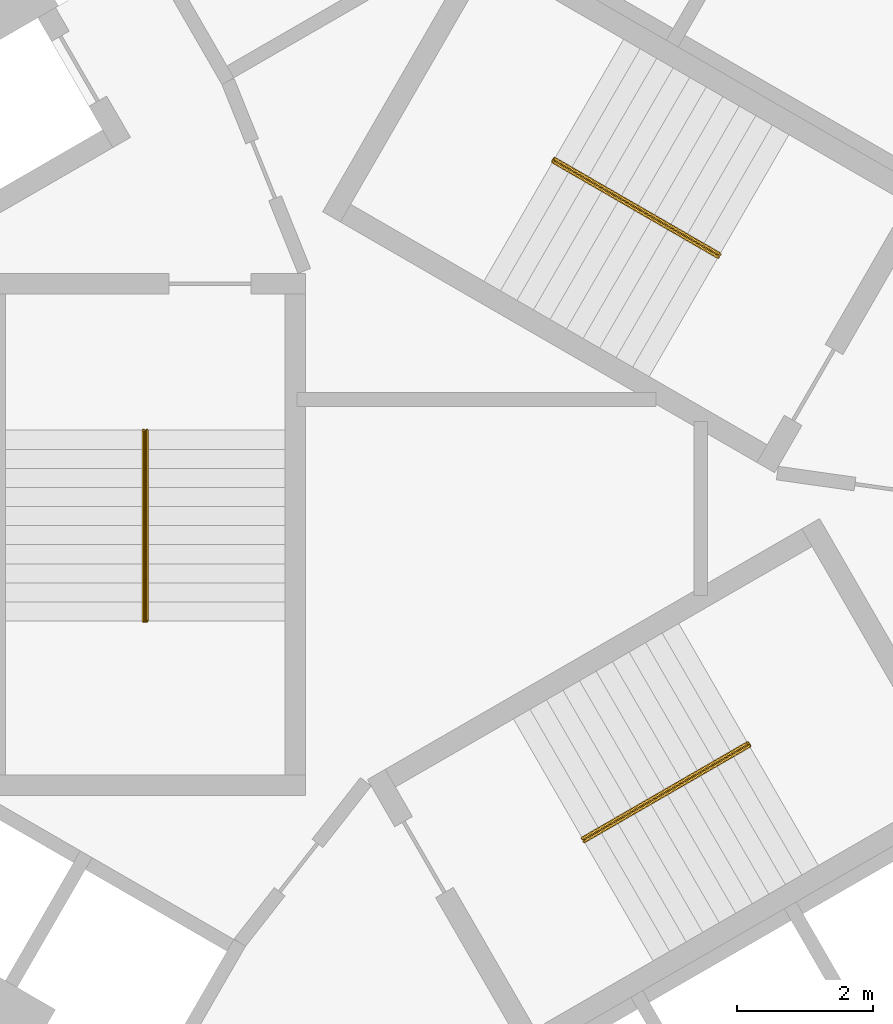
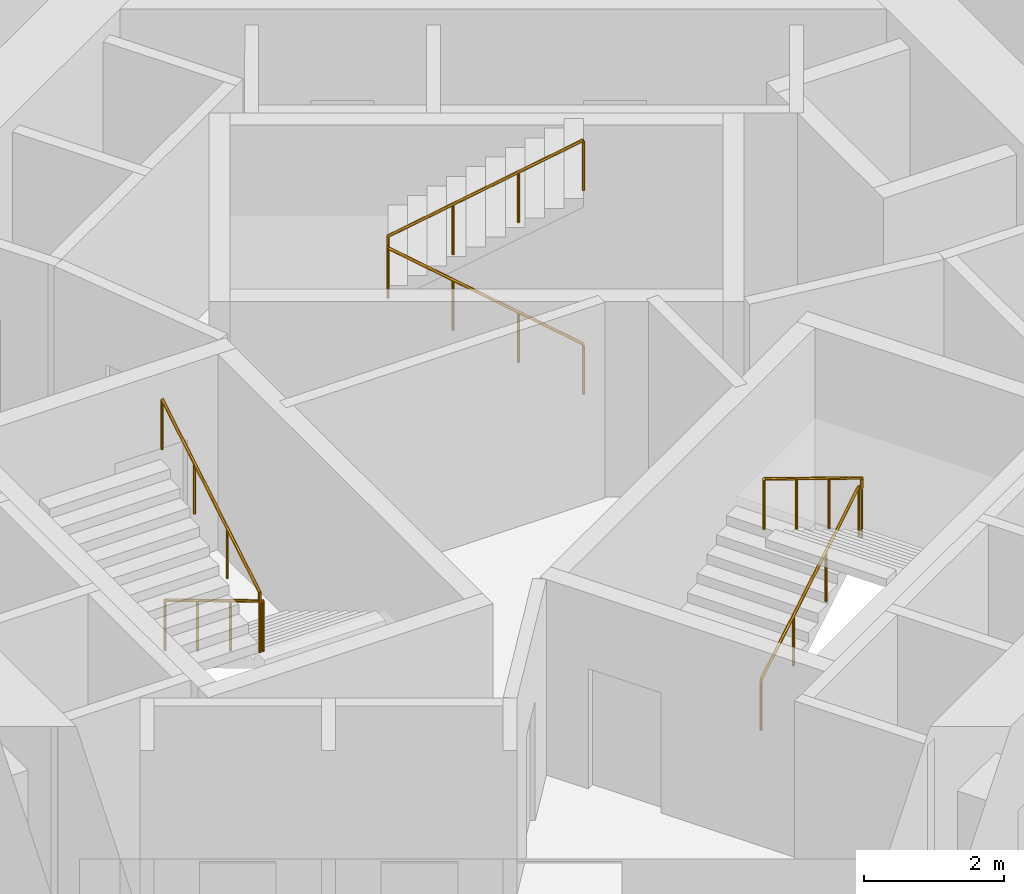
# One storey, part 11 of 11: 3 railings.
"""IFC4 building model written with IfcOpenShell, lengths in metres."""

from ifc_helpers import new_model, si_unit, direction, frame, origin, origin_2d, place, context, subcontext, project, spatial, circle, extrude, material, type_object, element, save


model = new_model("IFC4")

# Units and contexts
model_context = context("Model", 3, precision=1e-05, world=origin(), true_north=direction((0.0, 1.0)))
body_context = subcontext(model_context, "Body", "Model", "MODEL_VIEW")
ifc_project = project(units=[si_unit("LENGTHUNIT", "METRE"), si_unit("AREAUNIT", "SQUARE_METRE"), si_unit("VOLUMEUNIT", "CUBIC_METRE"), si_unit("PLANEANGLEUNIT", "RADIAN"), si_unit("MASSUNIT", "GRAM", prefix="KILO")], contexts=[model_context])

# Site, building, storey
site_placement = place(None, origin())
site = spatial("IfcSite", under=ifc_project, at=site_placement, CompositionType="ELEMENT")
building_placement = place(site_placement, origin())
building = spatial("IfcBuilding", under=site, at=building_placement, Name="Vanh Sen Convention Tower", CompositionType="ELEMENT")
storey_placement = place(building_placement, frame((0.0, 0.0, 146.60009765625)))
storey = spatial("IfcBuildingStorey", under=building, at=storey_placement, Name="L35", CompositionType="ELEMENT", Elevation=146.60009765625)

# Railings
ifc_material = material(Name="Stainless steel handrail", Category="steel")
railing_type = type_object("IfcRailingType", Name="Stair handrail 900", PredefinedType="HANDRAIL", material=ifc_material)
railing_1_placement = place(storey_placement, frame((3.45849609375, 3.690185546875, 0.168212890625)))
element("IfcRailing", 1, at=railing_1_placement, inside=storey, type_object=railing_type, Name="Stair handrail ST1 L35", PredefinedType="HANDRAIL", context=body_context, shape_type="SweptSolid", body=[
    extrude(circle(Radius=0.02392578125, at=origin_2d()), frame((0.0, 0.0, 0.8759765625), z_axis=(-0.74241905619, 0.428617687091, 0.514879426), x_axis=(-0.49998411664, -0.866034573852, 0.0)), (0.0, 0.0, 1.0), 3.26611328125),
    extrude(circle(Radius=0.02392578125, at=origin_2d()), frame((-2.4248046875, 1.39990234375, 2.5576171875), z_axis=(0.497188445666, 0.867642581652, 0.0), x_axis=(-0.867642581652, 0.497188445666, 0.0)), (0.0, 0.0, 1.0), 0.050048828125),
    extrude(circle(Radius=0.02392578125, at=origin_2d()), frame((-2.39990234375, 1.443359375, 2.5576171875), z_axis=(0.0, 0.0, 1.0), x_axis=(1.0, 0.0, 0.0)), (0.0, 0.0, 1.0), 0.168212890625),
    extrude(circle(Radius=0.02392578125, at=origin_2d()), frame((-2.39990234375, 1.443359375, 2.7255859375), z_axis=(0.742366697286, -0.42866220388, 0.514917859203), x_axis=(0.500049511043, 0.865996816683, 0.0)), (0.0, 0.0, 1.0), 3.266357421875),
    extrude(circle(Radius=0.02099609375, at=origin_2d()), origin(), (0.0, 0.0, 1.0), 0.851806640625),
    extrude(circle(Radius=0.02099609375, at=origin_2d()), frame((-0.808349609375, 0.466552734375, 0.560546875)), (0.0, 0.0, 1.0), 0.851806640625),
    extrude(circle(Radius=0.02099609375, at=origin_2d()), frame((-1.616455078125, 0.933349609375, 1.12109375)), (0.0, 0.0, 1.0), 0.851806640625),
    extrude(circle(Radius=0.02099609375, at=origin_2d()), frame((-2.4248046875, 1.39990234375, 1.681640625)), (0.0, 0.0, 1.0), 0.851806640625),
    extrude(circle(Radius=0.02099609375, at=origin_2d()), frame((-2.39990234375, 1.443359375, 1.681640625)), (0.0, 0.0, 1.0), 0.851806640625),
    extrude(circle(Radius=0.02099609375, at=origin_2d()), frame((-2.39990234375, 1.443359375, 1.849853515625)), (0.0, 0.0, 1.0), 0.851806640625),
    extrude(circle(Radius=0.02099609375, at=origin_2d()), frame((-1.591552734375, 0.9765625, 2.410400390625)), (0.0, 0.0, 1.0), 0.851806640625),
    extrude(circle(Radius=0.02099609375, at=origin_2d()), frame((-0.783447265625, 0.510009765625, 2.97119140625)), (0.0, 0.0, 1.0), 0.851806640625),
    extrude(circle(Radius=0.02099609375, at=origin_2d()), frame((0.02490234375, 0.043212890625, 3.53173828125)), (0.0, 0.0, 1.0), 0.851806640625),
])
railing_2_placement = place(storey_placement, frame((-4.925048828125, 1.14990234375, 0.168212890625)))
element("IfcRailing", 2, at=railing_2_placement, inside=storey, type_object=railing_type, Name="Stair handrail ST2 L35", PredefinedType="HANDRAIL", context=body_context, shape_type="SweptSolid", body=[
    extrude(circle(Radius=0.02392578125, at=origin_2d()), frame((0.0, 0.0, 0.8759765625), z_axis=(0.0, -0.857255387014, 0.514891446264), x_axis=(1.0, 0.0, 0.0)), (0.0, 0.0, 1.0), 3.26611328125),
    extrude(circle(Radius=0.02392578125, at=origin_2d()), frame((0.0, -2.7998046875, 2.5576171875), z_axis=(-1.0, 0.0, 0.0), x_axis=(0.0, -1.0, 0.0)), (0.0, 0.0, 1.0), 0.050048828125),
    extrude(circle(Radius=0.02392578125, at=origin_2d()), frame((-0.050048828125, -2.7998046875, 2.5576171875), z_axis=(0.0, 0.0, 1.0), x_axis=(1.0, 0.0, 0.0)), (0.0, 0.0, 1.0), 0.168212890625),
    extrude(circle(Radius=0.02392578125, at=origin_2d()), frame((-0.050048828125, -2.7998046875, 2.7255859375), z_axis=(0.0, 0.857222391501, 0.514946377315), x_axis=(-1.0, 0.0, 0.0)), (0.0, 0.0, 1.0), 3.26611328125),
    extrude(circle(Radius=0.02099609375, at=origin_2d()), origin(), (0.0, 0.0, 1.0), 0.851806640625),
    extrude(circle(Radius=0.02099609375, at=origin_2d()), frame((0.0, -0.933349609375, 0.560546875)), (0.0, 0.0, 1.0), 0.851806640625),
    extrude(circle(Radius=0.02099609375, at=origin_2d()), frame((0.0, -1.866455078125, 1.12109375)), (0.0, 0.0, 1.0), 0.851806640625),
    extrude(circle(Radius=0.02099609375, at=origin_2d()), frame((0.0, -2.7998046875, 1.681640625)), (0.0, 0.0, 1.0), 0.851806640625),
    extrude(circle(Radius=0.02099609375, at=origin_2d()), frame((-0.050048828125, -2.7998046875, 1.681640625)), (0.0, 0.0, 1.0), 0.851806640625),
    extrude(circle(Radius=0.02099609375, at=origin_2d()), frame((-0.050048828125, -2.7998046875, 1.849853515625)), (0.0, 0.0, 1.0), 0.851806640625),
    extrude(circle(Radius=0.02099609375, at=origin_2d()), frame((-0.050048828125, -1.866455078125, 2.410400390625)), (0.0, 0.0, 1.0), 0.851806640625),
    extrude(circle(Radius=0.02099609375, at=origin_2d()), frame((-0.050048828125, -0.933349609375, 2.97119140625)), (0.0, 0.0, 1.0), 0.851806640625),
    extrude(circle(Radius=0.02099609375, at=origin_2d()), frame((-0.050048828125, 0.0, 3.53173828125)), (0.0, 0.0, 1.0), 0.851806640625),
])
railing_3_placement = place(storey_placement, frame((1.466552734375, -4.840087890625, 0.168212890625)))
element("IfcRailing", 3, at=railing_3_placement, inside=storey, type_object=railing_type, Name="Stair handrail ST3 L35", PredefinedType="HANDRAIL", context=body_context, shape_type="SweptSolid", body=[
    extrude(circle(Radius=0.02392578125, at=origin_2d()), frame((0.0, 0.0, 0.8759765625), z_axis=(0.74241905619, 0.428617687091, 0.514879426), x_axis=(-0.49998411664, 0.866034573852, 0.0)), (0.0, 0.0, 1.0), 3.26611328125),
    extrude(circle(Radius=0.02392578125, at=origin_2d()), frame((2.4248046875, 1.39990234375, 2.5576171875), z_axis=(0.502959906984, -0.86430974307, 0.0), x_axis=(0.86430974307, 0.502959906984, 0.0)), (0.0, 0.0, 1.0), 0.050048828125),
    extrude(circle(Radius=0.02392578125, at=origin_2d()), frame((2.449951171875, 1.356689453125, 2.5576171875), z_axis=(0.0, 0.0, 1.0), x_axis=(1.0, 0.0, 0.0)), (0.0, 0.0, 1.0), 0.168212890625),
    extrude(circle(Radius=0.02392578125, at=origin_2d()), frame((2.449951171875, 1.356689453125, 2.7255859375), z_axis=(-0.742366697286, -0.42866220388, 0.514917859203), x_axis=(0.500049511043, -0.865996816683, 0.0)), (0.0, 0.0, 1.0), 3.266357421875),
    extrude(circle(Radius=0.02099609375, at=origin_2d()), origin(), (0.0, 0.0, 1.0), 0.851806640625),
    extrude(circle(Radius=0.02099609375, at=origin_2d()), frame((0.808349609375, 0.466552734375, 0.560546875)), (0.0, 0.0, 1.0), 0.851806640625),
    extrude(circle(Radius=0.02099609375, at=origin_2d()), frame((1.616455078125, 0.933349609375, 1.12109375)), (0.0, 0.0, 1.0), 0.851806640625),
    extrude(circle(Radius=0.02099609375, at=origin_2d()), frame((2.4248046875, 1.39990234375, 1.681640625)), (0.0, 0.0, 1.0), 0.851806640625),
    extrude(circle(Radius=0.02099609375, at=origin_2d()), frame((2.449951171875, 1.356689453125, 1.681640625)), (0.0, 0.0, 1.0), 0.851806640625),
    extrude(circle(Radius=0.02099609375, at=origin_2d()), frame((2.449951171875, 1.356689453125, 1.849853515625)), (0.0, 0.0, 1.0), 0.851806640625),
    extrude(circle(Radius=0.02099609375, at=origin_2d()), frame((1.6416015625, 0.889892578125, 2.410400390625)), (0.0, 0.0, 1.0), 0.851806640625),
    extrude(circle(Radius=0.02099609375, at=origin_2d()), frame((0.83349609375, 0.42333984375, 2.97119140625)), (0.0, 0.0, 1.0), 0.851806640625),
    extrude(circle(Radius=0.02099609375, at=origin_2d()), frame((0.025146484375, -0.04345703125, 3.53173828125)), (0.0, 0.0, 1.0), 0.851806640625),
])

save(model, "model.ifc")
